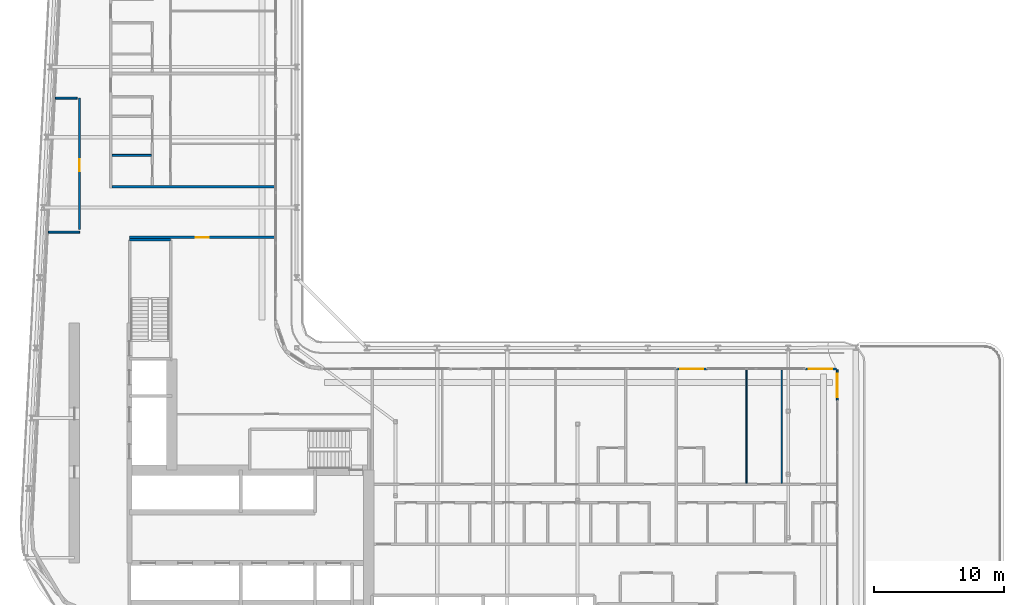
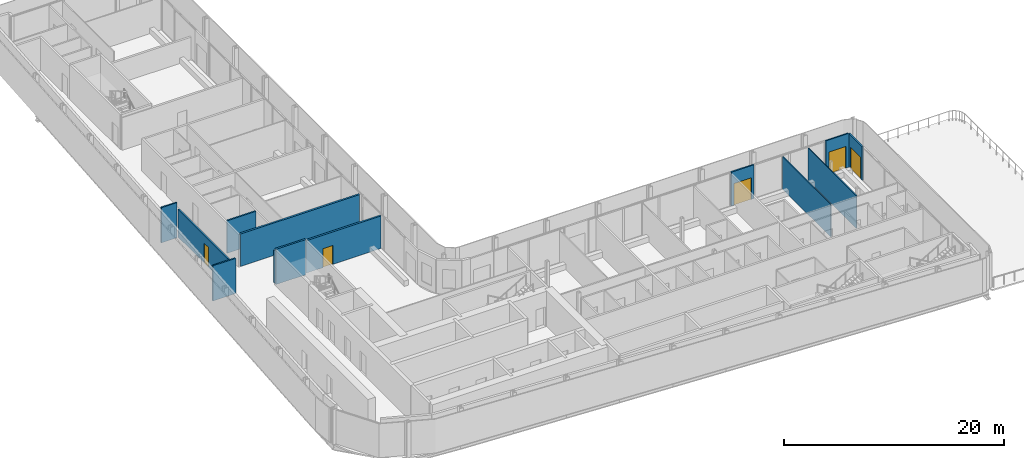
# One storey, part 16 of 27: 12 walls, 5 doors, 5 openings.
"""IFC4 building model written with IfcOpenShell, lengths in metres."""

from ifc_helpers import new_model, si_unit, direction, frame, frame_2d, origin, place, context, subcontext, project, spatial, rectangle, extrude, source, transform, mapped, material, layer, layer_set, type_object, element, fill, save


model = new_model("IFC4")

# Units and contexts
model_context = context("Model", 3, precision=1e-05, world=origin(), true_north=direction((0.0, 1.0)))
body_context = subcontext(model_context, "Body", "Model", "MODEL_VIEW")
ifc_project = project(units=[si_unit("LENGTHUNIT", "METRE"), si_unit("AREAUNIT", "SQUARE_METRE"), si_unit("VOLUMEUNIT", "CUBIC_METRE"), si_unit("PLANEANGLEUNIT", "RADIAN"), si_unit("MASSUNIT", "GRAM", prefix="KILO")], contexts=[model_context])

# Site, building, storey
site_placement = place(None, origin())
site = spatial("IfcSite", under=ifc_project, at=site_placement, CompositionType="ELEMENT")
building_placement = place(site_placement, origin())
building = spatial("IfcBuilding", under=site, at=building_placement, Name="Kheshtan School and Residences Tower", CompositionType="ELEMENT")
storey_placement = place(building_placement, frame((0.0, 0.0, 152.60009765625)))
storey = spatial("IfcBuildingStorey", under=building, at=storey_placement, Name="L35", CompositionType="ELEMENT", Elevation=152.60009765625)

# Wall
ifc_material_1 = material(Name="Gypsum board on steel studs with fire boards", Category="steel")
ifc_layer_1 = layer(ifc_material_1, 0.199951171875)
ifc_layer_set_1 = layer_set([ifc_layer_1], Name="Corridor wall 200")
wall_type_1 = type_object("IfcWallType", Name="Corridor wall 200", PredefinedType="PARTITIONING", material=ifc_layer_set_1)
wall_1_placement = place(storey_placement, frame((33.39990234375, 58.0, 0.0), z_axis=(0.0, 0.0, 1.0), x_axis=(1.0, 0.0, 0.0)))
element("IfcWall", 1, at=wall_1_placement, inside=storey, type_object=wall_type_1, Name="Partition L35-006", PredefinedType="PARTITIONING", context=body_context, shape_type="SweptSolid", body=[
    extrude(rectangle(XDim=12.5, YDim=0.199951171875, at=frame_2d((6.25, 0.0))), origin(), (0.0, 0.0, 1.0), 3.599853515625),
])

# Wall, opening, door
wall_2_placement = place(storey_placement, frame((34.75, 54.10009765625, 0.0), z_axis=(0.0, 0.0, 1.0), x_axis=(1.0, 0.0, 0.0)))
wall_2 = element("IfcWall", 2, at=wall_2_placement, inside=storey, type_object=wall_type_1, Name="Partition L35-017", PredefinedType="PARTITIONING", context=body_context, shape_type="SweptSolid", body=[
    extrude(rectangle(XDim=11.14990234375, YDim=0.199951171875, at=frame_2d((5.574951171875, 0.0))), origin(), (0.0, 0.0, 1.0), 3.599853515625),
])
opening_1_placement = place(wall_2_placement, frame((5.074951171875, 0.0, 0.0)))
opening_1 = element("IfcOpeningElement", 3, at=opening_1_placement, cuts=wall_2, Name="Opening D35-045", PredefinedType="OPENING", context=body_context, shape_type="SweptSolid", body=[
    extrude(rectangle(XDim=1.0, YDim=2.10009765625, at=frame_2d((0.5, 1.050048828125))), frame((0.0, 0.10986328125, 0.0), z_axis=(0.0, -1.0, 0.0), x_axis=(1.0, 0.0, 0.0)), (0.0, 0.0, 1.0), 0.219970703125),
])
ifc_material_2 = material(Name="Steel-framed fire-resisting door leaf", Category="steel")
door_type_1 = type_object("IfcDoorType", Name="Fire door FD60 1000 x 2100", OperationType="SINGLE_SWING_LEFT", PredefinedType="DOOR", material=ifc_material_2)
shared_shape_1 = source(origin(), body_context, "Body", "SweptSolid", [
    extrude(rectangle(XDim=1.0, YDim=2.10009765625, at=frame_2d((0.5, 1.050048828125))), frame((0.0, 0.02490234375, 0.0), z_axis=(0.0, -1.0, 0.0), x_axis=(1.0, 0.0, 0.0)), (0.0, 0.0, 1.0), 0.050048828125),
])
door_1_placement = place(opening_1_placement, origin())
door_1 = element("IfcDoor", 4, at=door_1_placement, inside=storey, type_object=door_type_1, Name="Door D35-045", OperationType="SINGLE_SWING_RIGHT", OverallHeight=2.10009765625, OverallWidth=1.0, PredefinedType="DOOR", context=body_context, shape_type="MappedRepresentation", body=[
    mapped(shared_shape_1, transform((0.0, 0.0, 0.0), x_axis=(1.0, 0.0, 0.0), y_axis=(0.0, 1.0, 0.0), z_axis=(0.0, 0.0, 1.0), scale=1.0)),
])
fill(opening_1, door_1)

ifc_material_3 = material(Name="Aluminium frame wall with insulated infill", Category="aluminium")
ifc_layer_2 = layer(ifc_material_3, 0.14990234375)
ifc_layer_set_2 = layer_set([ifc_layer_2], Name="Glazing frame wall 150")
wall_type_2 = type_object("IfcWallType", Name="Glazing frame wall 150", PredefinedType="SOLIDWALL", material=ifc_layer_set_2)
wall_3_placement = place(storey_placement, frame((76.781982421875, 43.97509765625, 0.0), z_axis=(0.0, 0.0, 1.0), x_axis=(1.0, 0.0, 0.0)))
wall_3 = element("IfcWall", 5, at=wall_3_placement, inside=storey, type_object=wall_type_2, Name="Balcony door wall L35 12.3", PredefinedType="SOLIDWALL", context=body_context, shape_type="SweptSolid", body=[
    extrude(rectangle(XDim=2.39990234375, YDim=0.14990234375, at=frame_2d((1.199951171875, 0.0))), origin(), (0.0, 0.0, 1.0), 3.75),
])
opening_2_placement = place(wall_3_placement, frame((0.300048828125, 0.0, 0.0)))
opening_2 = element("IfcOpeningElement", 6, at=opening_2_placement, cuts=wall_3, Name="Opening BD", PredefinedType="OPENING", context=body_context, shape_type="SweptSolid", body=[
    extrude(rectangle(XDim=1.800048828125, YDim=2.39990234375, at=frame_2d((0.89990234375, 1.199951171875))), frame((0.0, 0.0849609375, 0.0), z_axis=(0.0, -1.0, 0.0), x_axis=(1.0, 0.0, 0.0)), (0.0, 0.0, 1.0), 0.169921875),
])
ifc_material_4 = material(Name="Clear low-e glass in thermally broken aluminium frame", Category="aluminium")
door_type_2 = type_object("IfcDoorType", Name="Balcony sliding door", OperationType="SLIDING_TO_LEFT", PredefinedType="DOOR", material=ifc_material_4)
shared_shape_2 = source(origin(), body_context, "Body", "SweptSolid", [
    extrude(rectangle(XDim=1.800048828125, YDim=2.39990234375, at=frame_2d((0.89990234375, 1.199951171875))), frame((0.0, 0.02490234375, 0.0), z_axis=(0.0, -1.0, 0.0), x_axis=(1.0, 0.0, 0.0)), (0.0, 0.0, 1.0), 0.050048828125),
])
door_2_placement = place(opening_2_placement, origin())
door_2 = element("IfcDoor", 7, at=door_2_placement, inside=storey, type_object=door_type_2, Name="Balcony door L35 12.3", OperationType="SLIDING_TO_LEFT", OverallHeight=2.39990234375, OverallWidth=1.800048828125, PredefinedType="DOOR", context=body_context, shape_type="MappedRepresentation", body=[
    mapped(shared_shape_2, transform((0.0, 0.0, 0.0), x_axis=(1.0, 0.0, 0.0), y_axis=(0.0, 1.0, 0.0), z_axis=(0.0, 0.0, 1.0), scale=1.0)),
])
fill(opening_2, door_2)

wall_4_placement = place(storey_placement, frame((86.699951171875, 43.97509765625, 0.0), z_axis=(0.0, 0.0, 1.0), x_axis=(1.0, 0.0, 0.0)))
wall_4 = element("IfcWall", 8, at=wall_4_placement, inside=storey, type_object=wall_type_2, Name="Balcony door wall L35 12.4", PredefinedType="SOLIDWALL", context=body_context, shape_type="SweptSolid", body=[
    extrude(rectangle(XDim=2.400146484375, YDim=0.14990234375, at=frame_2d((1.2001953125, 0.0))), origin(), (0.0, 0.0, 1.0), 3.75),
])
opening_3_placement = place(wall_4_placement, frame((0.300048828125, 0.0, 0.0)))
opening_3 = element("IfcOpeningElement", 9, at=opening_3_placement, cuts=wall_4, Name="Opening BD", PredefinedType="OPENING", context=body_context, shape_type="SweptSolid", body=[
    extrude(rectangle(XDim=1.800048828125, YDim=2.39990234375, at=frame_2d((0.89990234375, 1.199951171875))), frame((0.0, 0.0849609375, 0.0), z_axis=(0.0, -1.0, 0.0), x_axis=(1.0, 0.0, 0.0)), (0.0, 0.0, 1.0), 0.169921875),
])
door_3_placement = place(opening_3_placement, origin())
door_3 = element("IfcDoor", 10, at=door_3_placement, inside=storey, type_object=door_type_2, Name="Balcony door L35 12.4", OperationType="SLIDING_TO_LEFT", OverallHeight=2.39990234375, OverallWidth=1.800048828125, PredefinedType="DOOR", context=body_context, shape_type="MappedRepresentation", body=[
    mapped(shared_shape_2, transform((0.0, 0.0, 0.0), x_axis=(1.0, 0.0, 0.0), y_axis=(0.0, 1.0, 0.0), z_axis=(0.0, 0.0, 1.0), scale=1.0)),
])
fill(opening_3, door_3)

wall_5_placement = place(storey_placement, frame((89.175048828125, 43.89990234375, 0.0), z_axis=(0.0, 0.0, 1.0), x_axis=(0.0, -1.0, 0.0)))
wall_5 = element("IfcWall", 11, at=wall_5_placement, inside=storey, type_object=wall_type_2, Name="Balcony door wall L35 13.1", PredefinedType="SOLIDWALL", context=body_context, shape_type="SweptSolid", body=[
    extrude(rectangle(XDim=2.39990234375, YDim=0.14990234375, at=frame_2d((1.199951171875, 0.0))), origin(), (0.0, 0.0, 1.0), 3.75),
])
opening_4_placement = place(wall_5_placement, frame((0.300048828125, 0.0, 0.0)))
opening_4 = element("IfcOpeningElement", 12, at=opening_4_placement, cuts=wall_5, Name="Opening BD", PredefinedType="OPENING", context=body_context, shape_type="SweptSolid", body=[
    extrude(rectangle(XDim=1.800048828125, YDim=2.39990234375, at=frame_2d((0.89990234375, 1.199951171875))), frame((0.0, 0.0849609375, 0.0), z_axis=(0.0, -1.0, 0.0), x_axis=(1.0, 0.0, 0.0)), (0.0, 0.0, 1.0), 0.169921875),
])
door_4_placement = place(opening_4_placement, origin())
door_4 = element("IfcDoor", 13, at=door_4_placement, inside=storey, type_object=door_type_2, Name="Balcony door L35 13.1", OperationType="SLIDING_TO_LEFT", OverallHeight=2.39990234375, OverallWidth=1.800048828125, PredefinedType="DOOR", context=body_context, shape_type="MappedRepresentation", body=[
    mapped(shared_shape_2, transform((0.0, 0.0, 0.0), x_axis=(1.0, 0.0, 0.0), y_axis=(0.0, 1.0, 0.0), z_axis=(0.0, 0.0, 1.0), scale=1.0)),
])
fill(opening_4, door_4)

# Walls
ifc_material_5 = material(Name="Gypsum board on steel studs", Category="steel")
ifc_layer_3 = layer(ifc_material_5, 0.10009765625)
ifc_layer_set_3 = layer_set([ifc_layer_3], Name="Gypsum partition 100")
wall_type_3 = type_object("IfcWallType", Name="Gypsum partition 100", PredefinedType="PARTITIONING", material=ifc_layer_set_3)
for number, where, z_axis, x_axis, name in (
    (14, (82.199951171875, 35.175048828125, 0.0), (0.0, 0.0, 1.0), (0.0, 1.0, 0.0), "Partition L35-056"),
    (15, (84.89990234375, 35.175048828125, 0.0), (0.0, 0.0, 1.0), (0.0, 1.0, 0.0), "Partition L35-058"),
):
    element("IfcWall", number, at=place(storey_placement, frame(where, z_axis=z_axis, x_axis=x_axis)), inside=storey, type_object=wall_type_3, Name=name, PredefinedType="PARTITIONING", context=body_context, shape_type="SweptSolid", body=[
        extrude(rectangle(XDim=8.724853515625, YDim=0.10009765625, at=frame_2d((4.3623046875, 0.0))), origin(), (0.0, 0.0, 1.0), 3.599853515625),
    ])
ifc_material_6 = material(Name="Fire-board shaft wall system")
ifc_layer_4 = layer(ifc_material_6, 0.14990234375)
ifc_layer_set_4 = layer_set([ifc_layer_4], Name="Service room wall 150")
wall_type_4 = type_object("IfcWallType", Name="Service room wall 150", PredefinedType="PARTITIONING", material=ifc_layer_set_4)
wall_6_placement = place(storey_placement, frame((28.508056640625, 54.5, 0.0), z_axis=(0.0, 0.0, 1.0), x_axis=(1.0, 0.0, 0.0)))
element("IfcWall", 16, at=wall_6_placement, inside=storey, type_object=wall_type_4, Name="Service room wall", PredefinedType="PARTITIONING", context=body_context, shape_type="SweptSolid", body=[
    extrude(rectangle(XDim=2.391845703125, YDim=0.14990234375, at=frame_2d((1.19580078125, 0.0))), origin(), (0.0, 0.0, 1.0), 3.89990234375),
])

# Wall, opening, door
wall_7_placement = place(storey_placement, frame((30.89990234375, 54.695068359375, 0.0), z_axis=(0.0, 0.0, 1.0), x_axis=(0.0, 1.0, 0.0)))
wall_7 = element("IfcWall", 17, at=wall_7_placement, inside=storey, type_object=wall_type_4, Name="Service room wall", PredefinedType="PARTITIONING", context=body_context, shape_type="SweptSolid", body=[
    extrude(rectangle(XDim=10.10498046875, YDim=0.14990234375, at=frame_2d((5.052490234375, 0.0))), origin(), (0.0, 0.0, 1.0), 3.072021484375),
])
opening_5_placement = place(wall_7_placement, frame((4.5048828125, 0.0, 0.0)))
opening_5 = element("IfcOpeningElement", 18, at=opening_5_placement, cuts=wall_7, Name="Opening SR90", PredefinedType="OPENING", context=body_context, shape_type="SweptSolid", body=[
    extrude(rectangle(XDim=0.89990234375, YDim=2.199951171875, at=frame_2d((0.449951171875, 1.10009765625))), frame((0.0, 0.0849609375, 0.0), z_axis=(0.0, -1.0, 0.0), x_axis=(1.0, 0.0, 0.0)), (0.0, 0.0, 1.0), 0.169921875),
])
ifc_material_7 = material(Name="Steel door leaf, galvanised", Category="steel")
door_type_3 = type_object("IfcDoorType", Name="Service room door 900 steel 90 min", OperationType="SINGLE_SWING_LEFT", PredefinedType="DOOR", material=ifc_material_7)
shared_shape_3 = source(origin(), body_context, "Body", "SweptSolid", [
    extrude(rectangle(XDim=0.89990234375, YDim=2.199951171875, at=frame_2d((0.449951171875, 1.10009765625))), frame((0.0, 0.02490234375, 0.0), z_axis=(0.0, -1.0, 0.0), x_axis=(1.0, 0.0, 0.0)), (0.0, 0.0, 1.0), 0.050048828125),
])
door_5_placement = place(opening_5_placement, origin())
door_5 = element("IfcDoor", 19, at=door_5_placement, inside=storey, type_object=door_type_3, Name="Service room door", OperationType="SINGLE_SWING_LEFT", OverallHeight=2.199951171875, OverallWidth=0.89990234375, PredefinedType="DOOR", context=body_context, shape_type="MappedRepresentation", body=[
    mapped(shared_shape_3, transform((0.0, 0.0, 0.0), x_axis=(1.0, 0.0, 0.0), y_axis=(0.0, 1.0, 0.0), z_axis=(0.0, 0.0, 1.0), scale=1.0)),
])
fill(opening_5, door_5)

# Walls
wall_8_placement = place(storey_placement, frame((29.050048828125, 64.800048828125, 0.0), z_axis=(0.0, 0.0, 1.0), x_axis=(1.0, 0.0, 0.0)))
element("IfcWall", 20, at=wall_8_placement, inside=storey, type_object=wall_type_4, Name="Service room wall", PredefinedType="PARTITIONING", context=body_context, shape_type="SweptSolid", body=[
    extrude(rectangle(XDim=1.655029296875, YDim=0.14990234375, at=frame_2d((0.82763671875, 0.0))), origin(), (0.0, 0.0, 1.0), 3.89990234375),
])
ifc_material_8 = material(Name="Concrete C40/50", Category="concrete")
ifc_layer_5 = layer(ifc_material_8, 0.199951171875)
ifc_layer_set_5 = layer_set([ifc_layer_5], Name="Stair enclosure wall 200 Concrete C40/50")
wall_type_5 = type_object("IfcWallType", Name="Stair enclosure wall 200 Concrete C40/50", PredefinedType="SHEAR", material=ifc_layer_set_5)
wall_9_placement = place(storey_placement, frame((34.75, 53.909912109375, 0.0), z_axis=(0.0, 0.0, 1.0), x_axis=(1.0, 0.0, 0.0)))
element("IfcWall", 21, at=wall_9_placement, inside=storey, type_object=wall_type_5, Name="Stair enclosure wall ST2", PredefinedType="SHEAR", context=body_context, shape_type="SweptSolid", body=[
    extrude(rectangle(XDim=3.14990234375, YDim=0.199951171875, at=frame_2d((1.574951171875, 0.0))), origin(), (0.0, 0.0, 1.0), 3.89990234375),
])
ifc_material_9 = material(Name="Moisture-resistant gypsum board on steel studs", Category="steel")
ifc_layer_6 = layer(ifc_material_9, 0.14990234375)
ifc_layer_set_6 = layer_set([ifc_layer_6], Name="Wet-room partition 150")
wall_type_6 = type_object("IfcWallType", Name="Wet-room partition 150", PredefinedType="PARTITIONING", material=ifc_layer_set_6)
wall_10_placement = place(storey_placement, frame((33.39990234375, 60.39990234375, 0.0), z_axis=(0.0, 0.0, 1.0), x_axis=(1.0, 0.0, 0.0)))
element("IfcWall", 22, at=wall_10_placement, inside=storey, type_object=wall_type_6, Name="Partition L35-007", PredefinedType="PARTITIONING", context=body_context, shape_type="SweptSolid", body=[
    extrude(rectangle(XDim=3.025146484375, YDim=0.14990234375, at=frame_2d((1.5126953125, 0.0))), origin(), (0.0, 0.0, 1.0), 3.599853515625),
])

save(model, "model.ifc")
